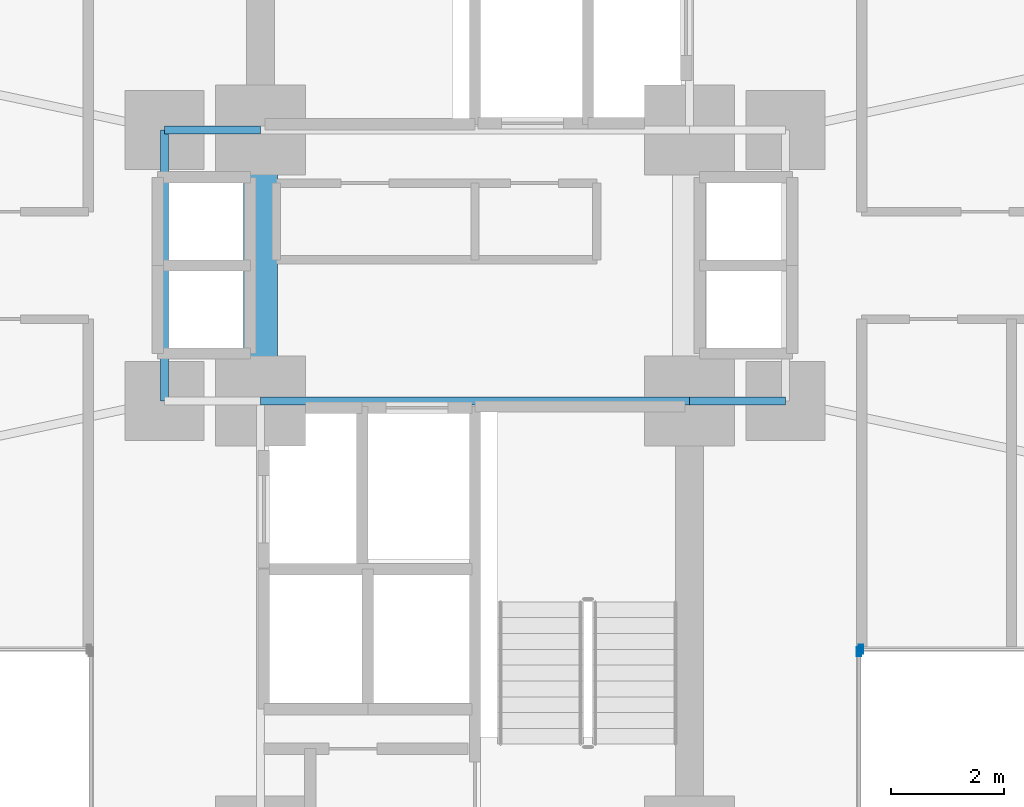
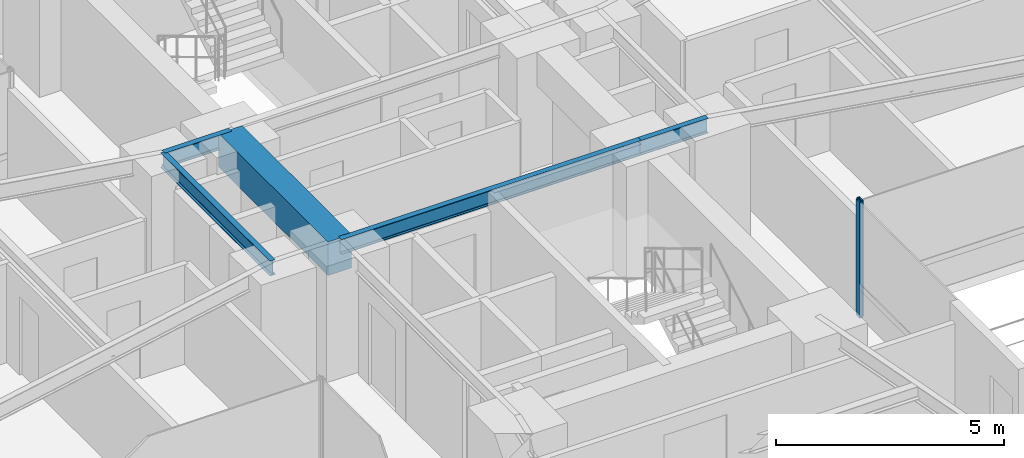
# One storey, part 10 of 27: 5 beams, 2 members, 2 elements without a shape of their own.
"""IFC4 building model written with IfcOpenShell, lengths in metres."""

from ifc_helpers import new_model, si_unit, direction, frame, origin, origin_2d, place, context, subcontext, project, spatial, rectangle, hollow_rectangle, i_section, extrude, source, transform, mapped, material, material_profile, profile_set, type_object, element, aggregate, save


model = new_model("IFC4")

# Units and contexts
model_context = context("Model", 3, precision=1e-05, world=origin(), true_north=direction((0.0, 1.0)))
body_context = subcontext(model_context, "Body", "Model", "MODEL_VIEW")
ifc_project = project(units=[si_unit("LENGTHUNIT", "METRE"), si_unit("AREAUNIT", "SQUARE_METRE"), si_unit("VOLUMEUNIT", "CUBIC_METRE"), si_unit("PLANEANGLEUNIT", "RADIAN"), si_unit("MASSUNIT", "GRAM", prefix="KILO")], contexts=[model_context])

# Site, building, storey
site_placement = place(None, origin())
site = spatial("IfcSite", under=ifc_project, at=site_placement, CompositionType="ELEMENT")
building_placement = place(site_placement, origin())
building = spatial("IfcBuilding", under=site, at=building_placement, Name="Sahyath Konkavel Grand Hotel", CompositionType="ELEMENT")
storey_placement = place(building_placement, frame((0.0, 0.0, 23.10009765625)))
storey = spatial("IfcBuildingStorey", under=building, at=storey_placement, Name="L05", CompositionType="ELEMENT", Elevation=23.10009765625)

# Beams
ifc_material_1 = material(Name="Concrete C70/85", Category="concrete")
ifc_material_profile_1 = material_profile(ifc_material_1, rectangle(XDim=0.60009765625, YDim=0.89990234375, at=origin_2d()), Name="RC 600x900")
ifc_profile_set_1 = profile_set([ifc_material_profile_1], Name="Concrete C70/85")
beam_type_1 = type_object("IfcBeamType", Name="BM-CB600x900", PredefinedType="LINTEL", material=ifc_profile_set_1)
shared_shape_1 = source(origin(), body_context, "Body", "SweptSolid", [
    extrude(rectangle(XDim=0.60009765625, YDim=0.89990234375, at=origin_2d()), origin(), (0.0, 0.0, 1.0), 4.7998046875),
])
beam_1_placement = place(storey_placement, frame((-3.800048828125, -2.39990234375, 2.659912109375), z_axis=(0.0, 1.0, 0.0), x_axis=(-1.0, 0.0, 0.0)))
element("IfcBeam", 1, at=beam_1_placement, inside=storey, type_object=beam_type_1, Name="L05 Split-Core Coupling Beam West", PredefinedType="LINTEL", context=body_context, shape_type="MappedRepresentation", body=[
    mapped(shared_shape_1, transform((0.0, 0.0, 0.0), scale=1.0)),
])
ifc_material_2 = material(Name="Steel E350", Category="steel")
ifc_material_profile_2 = material_profile(ifc_material_2, i_section(OverallWidth=0.139892578125, OverallDepth=0.39990234375, WebThickness=0.0087890625, FlangeThickness=0.01611328125, FilletRadius=0.013916015625, at=origin_2d()), Name="ISMB 400")
ifc_profile_set_2 = profile_set([ifc_material_profile_2], Name="Steel E350")
beam_type_2 = type_object("IfcBeamType", Name="BM-ISMB400", PredefinedType="BEAM", material=ifc_profile_set_2)
shared_shape_2 = source(origin(), body_context, "Body", "SweptSolid", [
    extrude(i_section(OverallWidth=0.139892578125, OverallDepth=0.39990234375, WebThickness=0.0087890625, FlangeThickness=0.01611328125, FilletRadius=0.013916015625, at=origin_2d()), origin(), (0.0, 0.0, 1.0), 7.60009765625),
])
beam_2_placement = place(storey_placement, frame((-3.800048828125, -2.39990234375, 2.909912109375), z_axis=(1.0, 0.0, 0.0), x_axis=(0.0, 1.0, 0.0)))
element("IfcBeam", 2, at=beam_2_placement, inside=storey, type_object=beam_type_2, Name="str:bm:L05:SC-N", PredefinedType="BEAM", context=body_context, shape_type="MappedRepresentation", body=[
    mapped(shared_shape_2, transform((0.0, 0.0, 0.0), scale=1.0)),
])
shared_shape_3 = source(origin(), body_context, "Body", "SweptSolid", [
    extrude(i_section(OverallWidth=0.139892578125, OverallDepth=0.39990234375, WebThickness=0.0087890625, FlangeThickness=0.01611328125, FilletRadius=0.013916015625, at=origin_2d()), origin(), (0.0, 0.0, 1.0), 1.699951171875),
])
for number, where, z_axis, x_axis, name in (
    (3, (-5.5, 2.39990234375, 2.909912109375), (1.0, 0.0, 0.0), (0.0, 1.0, 0.0), "str:bm:L05:HB-NW"),
    (4, (3.800048828125, -2.39990234375, 2.909912109375), (1.0, 0.0, 0.0), (0.0, 1.0, 0.0), "str:bm:L05:HB-SE"),
):
    element("IfcBeam", number, at=place(storey_placement, frame(where, z_axis=z_axis, x_axis=x_axis)), inside=storey, type_object=beam_type_2, Name=name, PredefinedType="BEAM", context=body_context, shape_type="MappedRepresentation", body=[
        mapped(shared_shape_3, transform((0.0, 0.0, 0.0), scale=1.0)),
    ])
shared_shape_4 = source(origin(), body_context, "Body", "SweptSolid", [
    extrude(i_section(OverallWidth=0.139892578125, OverallDepth=0.39990234375, WebThickness=0.0087890625, FlangeThickness=0.01611328125, FilletRadius=0.013916015625, at=origin_2d()), origin(), (0.0, 0.0, 1.0), 4.7998046875),
])
beam_3_placement = place(storey_placement, frame((-5.5, -2.39990234375, 2.909912109375), z_axis=(0.0, 1.0, 0.0), x_axis=(-1.0, 0.0, 0.0)))
element("IfcBeam", 5, at=beam_3_placement, inside=storey, type_object=beam_type_2, Name="str:bm:L05:HB-W", PredefinedType="BEAM", context=body_context, shape_type="MappedRepresentation", body=[
    mapped(shared_shape_4, transform((0.0, 0.0, 0.0), scale=1.0)),
])

# Curtain wall, member
ifc_material_3 = material(Name="Anodised Bronze Aluminium & Low-E Glazing", Category="aluminium")
curtain_wall_type = type_object("IfcCurtainWallType", Name="CW-ZONE1", PredefinedType="NOTDEFINED", material=ifc_material_3)
curtain_wall_1_placement = place(storey_placement, origin())
curtain_wall_1 = element("IfcCurtainWall", 6, at=curtain_wall_1_placement, inside=storey, type_object=curtain_wall_type, Name="L05 Unitised Curtain Wall F0", PredefinedType="NOTDEFINED")
ifc_material_4 = material(Name="Anodised Bronze Aluminium", Category="aluminium")
ifc_material_profile_3 = material_profile(ifc_material_4, hollow_rectangle(XDim=0.080078125, YDim=0.159912109375, WallThickness=0.006103515625, at=origin_2d()), Name="RHS 160x80x6")
ifc_profile_set_3 = profile_set([ifc_material_profile_3], Name="Anodised Bronze Aluminium")
member_type = type_object("IfcMemberType", Name="CW-MUL-160", PredefinedType="MULLION", material=ifc_profile_set_3)
shared_shape_5 = source(origin(), body_context, "Body", "SweptSolid", [
    extrude(hollow_rectangle(XDim=0.080078125, YDim=0.159912109375, WallThickness=0.006103515625, at=origin_2d()), origin(), (0.0, 0.0, 1.0), 3.10986328125),
])
member_1_placement = place(storey_placement, frame((6.840087890625, -6.800048828125, 0.0), z_axis=(0.0, 0.0, 1.0), x_axis=(1.0, 0.0, 0.0)))
member_1 = element("IfcMember", 7, at=member_1_placement, type_object=member_type, Name="L05 Curtain Wall Mullion F0-0", PredefinedType="MULLION", context=body_context, shape_type="MappedRepresentation", body=[
    mapped(shared_shape_5, transform((0.0, 0.0, 0.0), scale=1.0)),
])
aggregate(curtain_wall_1, [member_1])

curtain_wall_2_placement = place(storey_placement, origin())
curtain_wall_2 = element("IfcCurtainWall", 8, at=curtain_wall_2_placement, inside=storey, type_object=curtain_wall_type, Name="L05 Unitised Curtain Wall F31", PredefinedType="NOTDEFINED")
member_2_placement = place(storey_placement, frame((6.800048828125, -6.840087890625, 0.0), z_axis=(0.0, 0.0, 1.0), x_axis=(1.0, 0.0, 0.0)))
member_2 = element("IfcMember", 9, at=member_2_placement, type_object=member_type, Name="L05 Curtain Wall Mullion F31-2", PredefinedType="MULLION", context=body_context, shape_type="MappedRepresentation", body=[
    mapped(shared_shape_5, transform((0.0, 0.0, 0.0), scale=1.0)),
])
aggregate(curtain_wall_2, [member_2])

save(model, "model.ifc")
